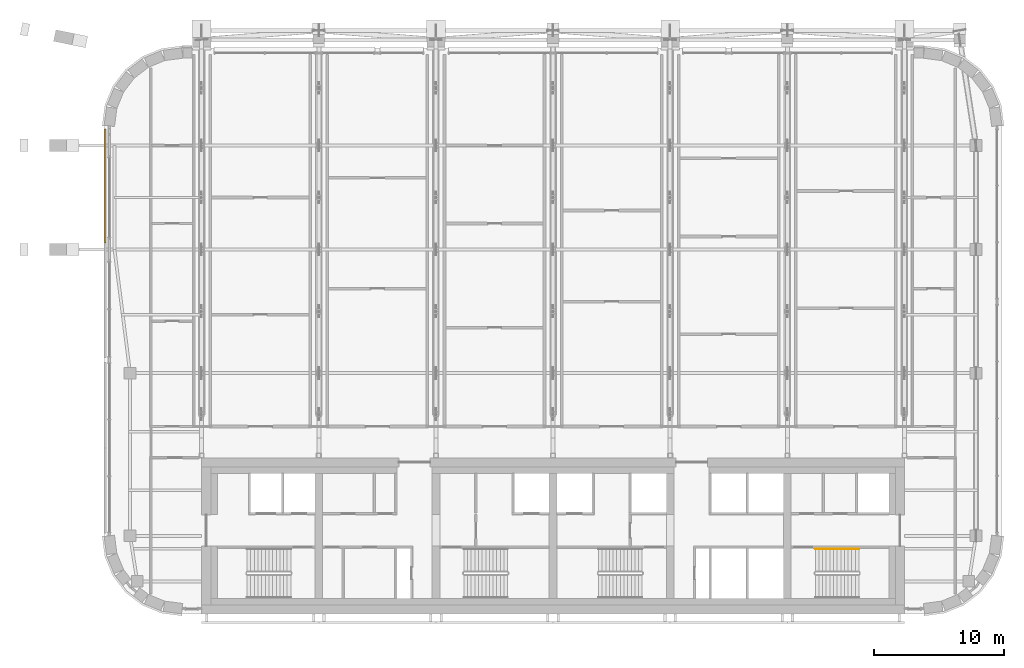
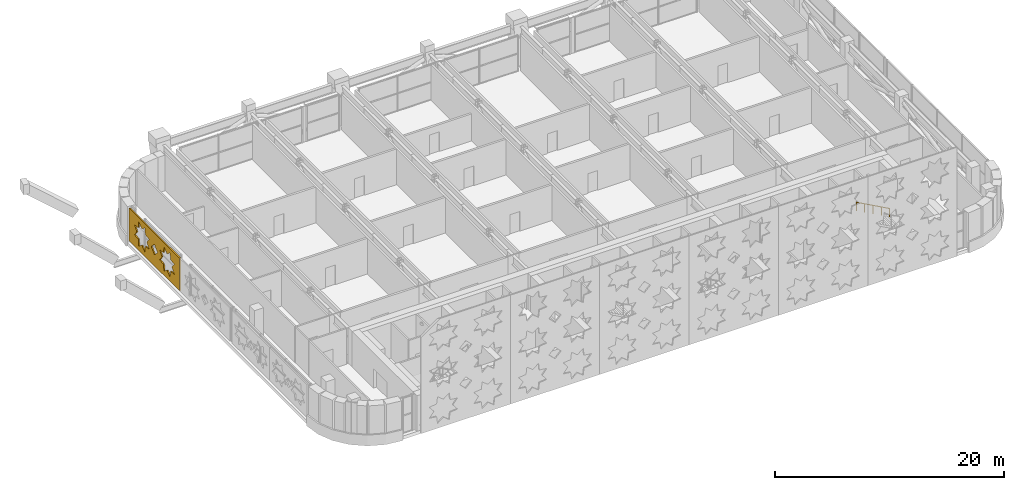
# One storey, part 23 of 26: 1 covering, 1 railing.
"""IFC4 building model written with IfcOpenShell, lengths in metres."""

from ifc_helpers import new_model, si_unit, direction, frame, origin, origin_2d, place, context, subcontext, project, spatial, polyline, circle, outline, extrude, material, layer, layer_set, type_object, element, save


model = new_model("IFC4")

# Units and contexts
model_context = context("Model", 3, precision=1e-05, world=origin(), true_north=direction((0.0, 1.0)))
body_context = subcontext(model_context, "Body", "Model", "MODEL_VIEW")
ifc_project = project(units=[si_unit("LENGTHUNIT", "METRE"), si_unit("AREAUNIT", "SQUARE_METRE"), si_unit("VOLUMEUNIT", "CUBIC_METRE"), si_unit("PLANEANGLEUNIT", "RADIAN"), si_unit("MASSUNIT", "GRAM", prefix="KILO")], contexts=[model_context])

# Site, building, storey
site_placement = place(None, origin())
site = spatial("IfcSite", under=ifc_project, at=site_placement, CompositionType="ELEMENT")
building_placement = place(site_placement, origin())
building = spatial("IfcBuilding", under=site, at=building_placement, Name="Zellij Exchange Tower", CompositionType="ELEMENT")
storey_placement = place(building_placement, frame((0.0, 0.0, 216.5)))
storey = spatial("IfcBuildingStorey", under=building, at=storey_placement, Name="L50", CompositionType="ELEMENT", Elevation=216.5)

# Railing
ifc_material_1 = material(Name="Stainless steel", Category="steel")
railing_type = type_object("IfcRailingType", Name="CORE-RH stair handrail", PredefinedType="HANDRAIL", material=ifc_material_1)
railing_placement = place(storey_placement, frame((23.510009765625, -9.0, 2.15380859375)))
element("IfcRailing", 1, at=railing_placement, inside=storey, type_object=railing_type, Name="ST4 stair handrail L50", PredefinedType="HANDRAIL", context=body_context, shape_type="SweptSolid", body=[
    extrude(circle(Radius=0.02392578125, at=origin_2d()), frame((0.0, 0.0, 0.8759765625), z_axis=(-0.876421534553, 0.0, 0.481544695509), x_axis=(0.0, -1.0, 0.0)), (0.0, 0.0, 1.0), 3.833984375),
    extrude(circle(Radius=0.02099609375, at=origin_2d()), origin(), (0.0, 0.0, 1.0), 0.851806640625),
    extrude(circle(Radius=0.02099609375, at=origin_2d()), frame((-0.840087890625, 0.0, 0.46142578125)), (0.0, 0.0, 1.0), 0.851806640625),
    extrude(circle(Radius=0.02099609375, at=origin_2d()), frame((-1.68017578125, 0.0, 0.923095703125)), (0.0, 0.0, 1.0), 0.851806640625),
    extrude(circle(Radius=0.02099609375, at=origin_2d()), frame((-2.52001953125, 0.0, 1.384765625)), (0.0, 0.0, 1.0), 0.851806640625),
    extrude(circle(Radius=0.02099609375, at=origin_2d()), frame((-3.360107421875, 0.0, 1.84619140625)), (0.0, 0.0, 1.0), 0.851806640625),
])

# Covering
ifc_material_2 = material(Name="Limestone screen", Category="masonry")
ifc_layer = layer(ifc_material_2, 0.1201171875)
ifc_layer_set = layer_set([ifc_layer], Name="Limestone screen")
covering_type = type_object("IfcCoveringType", Name="ENV-SC1 Pierced stone screen 120", PredefinedType="USERDEFINED", material=ifc_layer_set)
covering_placement = place(storey_placement, frame((-34.39990234375, 23.273681640625, 0.300048828125), z_axis=(0.0, 0.0, 1.0), x_axis=(0.0, -1.0, 0.0)))
element("IfcCovering", 2, at=covering_placement, inside=storey, type_object=covering_type, Name="Pierced stone screen", ObjectType="SCREEN", PredefinedType="USERDEFINED", context=body_context, shape_type="SweptSolid", body=[
    extrude(outline(polyline([(0.0, 0.0), (8.784912109375, 0.0), (8.784912109375, 3.5), (0.0, 3.5), (0.0, 0.0)]), holes=[polyline([(3.48974609375, 2.285888671875), (2.81005859375, 2.36376953125), (2.73193359375, 3.04345703125), (2.1962890625, 2.617919921875), (1.660400390625, 3.04345703125), (1.58251953125, 2.36376953125), (0.90283203125, 2.285888671875), (1.328369140625, 1.75), (0.90283203125, 1.214111328125), (1.58251953125, 1.13623046875), (1.660400390625, 0.45654296875), (2.1962890625, 0.882080078125), (2.73193359375, 0.45654296875), (2.81005859375, 1.13623046875), (3.48974609375, 1.214111328125), (3.064208984375, 1.75), (3.48974609375, 2.285888671875)]), polyline([(7.882080078125, 2.285888671875), (7.202392578125, 2.36376953125), (7.12451171875, 3.04345703125), (6.5888671875, 2.617919921875), (6.052978515625, 3.04345703125), (5.97509765625, 2.36376953125), (5.29541015625, 2.285888671875), (5.720703125, 1.75), (5.29541015625, 1.214111328125), (5.97509765625, 1.13623046875), (6.052978515625, 0.45654296875), (6.5888671875, 0.882080078125), (7.12451171875, 0.45654296875), (7.202392578125, 1.13623046875), (7.882080078125, 1.214111328125), (7.456787109375, 1.75), (7.882080078125, 2.285888671875)]), polyline([(4.952392578125, 1.75), (4.392578125, 2.31005859375), (3.83251953125, 1.75), (4.392578125, 1.18994140625), (4.952392578125, 1.75)])]), frame((0.0, 0.06005859375, 0.0), z_axis=(0.0, -1.0, 0.0), x_axis=(1.0, 0.0, 0.0)), (0.0, 0.0, 1.0), 0.1201171875),
])

save(model, "model.ifc")
